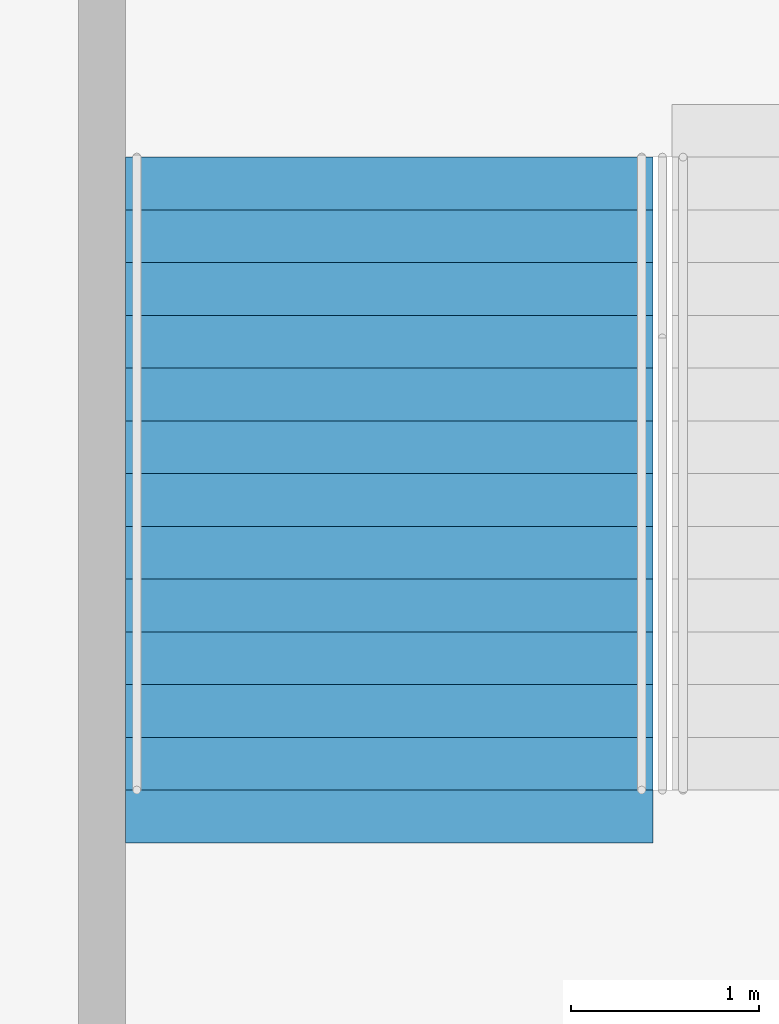
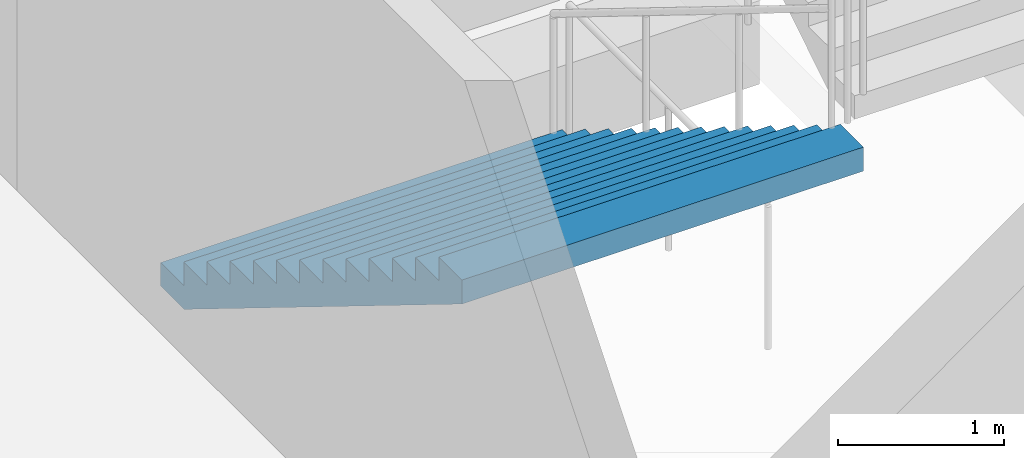
# One storey, part 102 of 177: 1 stair flight, 1 element without a shape of its own.
"""IFC4 building model written with IfcOpenShell, lengths in metres."""

from ifc_helpers import new_model, si_unit, direction, frame, origin, place, context, subcontext, project, spatial, faceted_brep, material, type_object, element, aggregate, save


model = new_model("IFC4")

# Units and contexts
model_context = context("Model", 3, precision=1e-05, world=origin(), true_north=direction((0.0, 1.0)))
body_context = subcontext(model_context, "Body", "Model", "MODEL_VIEW")
ifc_project = project(units=[si_unit("LENGTHUNIT", "METRE"), si_unit("AREAUNIT", "SQUARE_METRE"), si_unit("VOLUMEUNIT", "CUBIC_METRE"), si_unit("PLANEANGLEUNIT", "RADIAN"), si_unit("MASSUNIT", "GRAM", prefix="KILO")], contexts=[model_context])

# Site, building, storey
site_placement = place(None, origin())
site = spatial("IfcSite", under=ifc_project, at=site_placement, CompositionType="ELEMENT")
building_placement = place(site_placement, origin())
building = spatial("IfcBuilding", under=site, at=building_placement, Name="Ogive Plaza Stadium", CompositionType="ELEMENT")
storey_placement = place(building_placement, frame((0.0, 0.0, 18.0)))
storey = spatial("IfcBuildingStorey", under=building, at=storey_placement, Name="L04", CompositionType="ELEMENT", Elevation=18.0)

# Stair, stair flight
ifc_material_1 = material(Name="Concrete C40/50", Category="concrete")
stair_type = type_object("IfcStairType", Name="Exit stair", PredefinedType="STRAIGHT_RUN_STAIR", material=ifc_material_1)
stair_placement = place(storey_placement, origin())
stair = element("IfcStair", 1, at=stair_placement, inside=storey, type_object=stair_type, Name="Exit stair ST12A L04 to L05", PredefinedType="STRAIGHT_RUN_STAIR")
ifc_material_2 = material(Name="Concrete C40/50", Category="concrete")
stair_flight_type = type_object("IfcStairFlightType", Name="Exit stair flight", PredefinedType="STRAIGHT", material=ifc_material_2)
stair_flight_placement = place(storey_placement, frame((29.574951171875, -94.85009765625, 0.0), z_axis=(0.0, 0.0, 1.0), x_axis=(0.0, -1.0, 0.0)))
stair_flight = element("IfcStairFlight", 2, at=stair_flight_placement, type_object=stair_flight_type, Name="ST12A flight 1", NumberOfRisers=13, NumberOfTreads=12, PredefinedType="STRAIGHT", RiserHeight=0.173076923, TreadLength=0.28, context=body_context, shape_type="Brep", body=[
    faceted_brep([(0.28515625, -1.39990234375, 0.0), (3.639892578125, -1.39990234375, 2.07373046875), (3.639892578125, -1.39990234375, 2.25), (3.360107421875, -1.39990234375, 2.25), (3.360107421875, -1.39990234375, 2.076904296875), (3.080078125, -1.39990234375, 2.076904296875), (3.080078125, -1.39990234375, 1.90380859375), (2.800048828125, -1.39990234375, 1.90380859375), (2.800048828125, -1.39990234375, 1.730712890625), (2.52001953125, -1.39990234375, 1.730712890625), (2.52001953125, -1.39990234375, 1.5576171875), (2.239990234375, -1.39990234375, 1.5576171875), (2.239990234375, -1.39990234375, 1.384521484375), (1.9599609375, -1.39990234375, 1.384521484375), (1.9599609375, -1.39990234375, 1.21142578125), (1.679931640625, -1.39990234375, 1.21142578125), (1.679931640625, -1.39990234375, 1.03857421875), (1.39990234375, -1.39990234375, 1.03857421875), (1.39990234375, -1.39990234375, 0.865478515625), (1.1201171875, -1.39990234375, 0.865478515625), (1.1201171875, -1.39990234375, 0.6923828125), (0.840087890625, -1.39990234375, 0.6923828125), (0.840087890625, -1.39990234375, 0.519287109375), (0.56005859375, -1.39990234375, 0.519287109375), (0.56005859375, -1.39990234375, 0.34619140625), (0.280029296875, -1.39990234375, 0.34619140625), (0.280029296875, -1.39990234375, 0.173095703125), (0.0, -1.39990234375, 0.173095703125), (0.0, -1.39990234375, 0.0), (0.0, 1.39990234375, 0.0), (0.0, 1.39990234375, 0.173095703125), (0.280029296875, 1.39990234375, 0.173095703125), (0.280029296875, 1.39990234375, 0.34619140625), (0.56005859375, 1.39990234375, 0.34619140625), (0.56005859375, 1.39990234375, 0.519287109375), (0.840087890625, 1.39990234375, 0.519287109375), (0.840087890625, 1.39990234375, 0.6923828125), (1.1201171875, 1.39990234375, 0.6923828125), (1.1201171875, 1.39990234375, 0.865478515625), (1.39990234375, 1.39990234375, 0.865478515625), (1.39990234375, 1.39990234375, 1.03857421875), (1.679931640625, 1.39990234375, 1.03857421875), (1.679931640625, 1.39990234375, 1.21142578125), (1.9599609375, 1.39990234375, 1.21142578125), (1.9599609375, 1.39990234375, 1.384521484375), (2.239990234375, 1.39990234375, 1.384521484375), (2.239990234375, 1.39990234375, 1.5576171875), (2.52001953125, 1.39990234375, 1.5576171875), (2.52001953125, 1.39990234375, 1.730712890625), (2.800048828125, 1.39990234375, 1.730712890625), (2.800048828125, 1.39990234375, 1.90380859375), (3.080078125, 1.39990234375, 1.90380859375), (3.080078125, 1.39990234375, 2.076904296875), (3.360107421875, 1.39990234375, 2.076904296875), (3.360107421875, 1.39990234375, 2.25), (3.639892578125, 1.39990234375, 2.25), (3.639892578125, 1.39990234375, 2.07373046875), (0.28515625, 1.39990234375, 0.0), (0.28515625, -1.0888671875, 0.0), (3.639892578125, -1.0888671875, 2.07373046875), (0.28515625, -0.77783203125, 0.0), (3.639892578125, -0.77783203125, 2.07373046875), (0.28515625, -0.466796875, 0.0), (3.639892578125, -0.466796875, 2.07373046875), (0.28515625, -0.155517578125, 0.0), (3.639892578125, -0.155517578125, 2.07373046875), (0.28515625, 0.155517578125, 0.0), (3.639892578125, 0.155517578125, 2.07373046875), (0.28515625, 0.466796875, 0.0), (3.639892578125, 0.466796875, 2.07373046875), (0.28515625, 0.77783203125, 0.0), (3.639892578125, 0.77783203125, 2.07373046875), (0.28515625, 1.0888671875, 0.0), (3.639892578125, 1.0888671875, 2.07373046875), (3.639892578125, -1.0888671875, 2.25), (3.639892578125, -0.77783203125, 2.25), (3.639892578125, -0.466796875, 2.25), (3.639892578125, -0.155517578125, 2.25), (3.639892578125, 0.155517578125, 2.25), (3.639892578125, 0.466796875, 2.25), (3.639892578125, 0.77783203125, 2.25), (3.639892578125, 1.0888671875, 2.25), (3.360107421875, -1.0888671875, 2.25), (3.360107421875, -0.77783203125, 2.25), (3.360107421875, -0.466796875, 2.25), (3.360107421875, -0.155517578125, 2.25), (3.360107421875, 0.155517578125, 2.25), (3.360107421875, 0.466796875, 2.25), (3.360107421875, 0.77783203125, 2.25), (3.360107421875, 1.0888671875, 2.25), (3.360107421875, -1.0888671875, 2.076904296875), (3.360107421875, -0.77783203125, 2.076904296875), (3.360107421875, -0.466796875, 2.076904296875), (3.360107421875, -0.155517578125, 2.076904296875), (3.360107421875, 0.155517578125, 2.076904296875), (3.360107421875, 0.466796875, 2.076904296875), (3.360107421875, 0.77783203125, 2.076904296875), (3.360107421875, 1.0888671875, 2.076904296875), (3.080078125, -1.0888671875, 2.076904296875), (3.080078125, -0.77783203125, 2.076904296875), (3.080078125, -0.466796875, 2.076904296875), (3.080078125, -0.155517578125, 2.076904296875), (3.080078125, 0.155517578125, 2.076904296875), (3.080078125, 0.466796875, 2.076904296875), (3.080078125, 0.77783203125, 2.076904296875), (3.080078125, 1.0888671875, 2.076904296875), (3.080078125, -1.0888671875, 1.90380859375), (3.080078125, -0.77783203125, 1.90380859375), (3.080078125, -0.466796875, 1.90380859375), (3.080078125, -0.155517578125, 1.90380859375), (3.080078125, 0.155517578125, 1.90380859375), (3.080078125, 0.466796875, 1.90380859375), (3.080078125, 0.77783203125, 1.90380859375), (3.080078125, 1.0888671875, 1.90380859375), (2.800048828125, -1.0888671875, 1.90380859375), (2.800048828125, -0.77783203125, 1.90380859375), (2.800048828125, -0.466796875, 1.90380859375), (2.800048828125, -0.155517578125, 1.90380859375), (2.800048828125, 0.155517578125, 1.90380859375), (2.800048828125, 0.466796875, 1.90380859375), (2.800048828125, 0.77783203125, 1.90380859375), (2.800048828125, 1.0888671875, 1.90380859375), (2.800048828125, -1.0888671875, 1.730712890625), (2.800048828125, -0.77783203125, 1.730712890625), (2.800048828125, -0.466796875, 1.730712890625), (2.800048828125, -0.155517578125, 1.730712890625), (2.800048828125, 0.155517578125, 1.730712890625), (2.800048828125, 0.466796875, 1.730712890625), (2.800048828125, 0.77783203125, 1.730712890625), (2.800048828125, 1.0888671875, 1.730712890625), (2.52001953125, -1.0888671875, 1.730712890625), (2.52001953125, -0.77783203125, 1.730712890625), (2.52001953125, -0.466796875, 1.730712890625), (2.52001953125, -0.155517578125, 1.730712890625), (2.52001953125, 0.155517578125, 1.730712890625), (2.52001953125, 0.466796875, 1.730712890625), (2.52001953125, 0.77783203125, 1.730712890625), (2.52001953125, 1.0888671875, 1.730712890625), (2.52001953125, -1.0888671875, 1.5576171875), (2.52001953125, -0.77783203125, 1.5576171875), (2.52001953125, -0.466796875, 1.5576171875), (2.52001953125, -0.155517578125, 1.5576171875), (2.52001953125, 0.155517578125, 1.5576171875), (2.52001953125, 0.466796875, 1.5576171875), (2.52001953125, 0.77783203125, 1.5576171875), (2.52001953125, 1.0888671875, 1.5576171875), (2.239990234375, -1.0888671875, 1.5576171875), (2.239990234375, -0.77783203125, 1.5576171875), (2.239990234375, -0.466796875, 1.5576171875), (2.239990234375, -0.155517578125, 1.5576171875), (2.239990234375, 0.155517578125, 1.5576171875), (2.239990234375, 0.466796875, 1.5576171875), (2.239990234375, 0.77783203125, 1.5576171875), (2.239990234375, 1.0888671875, 1.5576171875), (2.239990234375, -1.0888671875, 1.384521484375), (2.239990234375, -0.77783203125, 1.384521484375), (2.239990234375, -0.466796875, 1.384521484375), (2.239990234375, -0.155517578125, 1.384521484375), (2.239990234375, 0.155517578125, 1.384521484375), (2.239990234375, 0.466796875, 1.384521484375), (2.239990234375, 0.77783203125, 1.384521484375), (2.239990234375, 1.0888671875, 1.384521484375), (1.9599609375, -1.0888671875, 1.384521484375), (1.9599609375, -0.77783203125, 1.384521484375), (1.9599609375, -0.466796875, 1.384521484375), (1.9599609375, -0.155517578125, 1.384521484375), (1.9599609375, 0.155517578125, 1.384521484375), (1.9599609375, 0.466796875, 1.384521484375), (1.9599609375, 0.77783203125, 1.384521484375), (1.9599609375, 1.0888671875, 1.384521484375), (1.9599609375, -1.0888671875, 1.21142578125), (1.9599609375, -0.77783203125, 1.21142578125), (1.9599609375, -0.466796875, 1.21142578125), (1.9599609375, -0.155517578125, 1.21142578125), (1.9599609375, 0.155517578125, 1.21142578125), (1.9599609375, 0.466796875, 1.21142578125), (1.9599609375, 0.77783203125, 1.21142578125), (1.9599609375, 1.0888671875, 1.21142578125), (1.679931640625, -1.0888671875, 1.21142578125), (1.679931640625, -0.77783203125, 1.21142578125), (1.679931640625, -0.466796875, 1.21142578125), (1.679931640625, -0.155517578125, 1.21142578125), (1.679931640625, 0.155517578125, 1.21142578125), (1.679931640625, 0.466796875, 1.21142578125), (1.679931640625, 0.77783203125, 1.21142578125), (1.679931640625, 1.0888671875, 1.21142578125), (1.679931640625, -1.0888671875, 1.03857421875), (1.679931640625, -0.77783203125, 1.03857421875), (1.679931640625, -0.466796875, 1.03857421875), (1.679931640625, -0.155517578125, 1.03857421875), (1.679931640625, 0.155517578125, 1.03857421875), (1.679931640625, 0.466796875, 1.03857421875), (1.679931640625, 0.77783203125, 1.03857421875), (1.679931640625, 1.0888671875, 1.03857421875), (1.39990234375, -1.0888671875, 1.03857421875), (1.39990234375, -0.77783203125, 1.03857421875), (1.39990234375, -0.466796875, 1.03857421875), (1.39990234375, -0.155517578125, 1.03857421875), (1.39990234375, 0.155517578125, 1.03857421875), (1.39990234375, 0.466796875, 1.03857421875), (1.39990234375, 0.77783203125, 1.03857421875), (1.39990234375, 1.0888671875, 1.03857421875), (1.39990234375, -1.0888671875, 0.865478515625), (1.39990234375, -0.77783203125, 0.865478515625), (1.39990234375, -0.466796875, 0.865478515625), (1.39990234375, -0.155517578125, 0.865478515625), (1.39990234375, 0.155517578125, 0.865478515625), (1.39990234375, 0.466796875, 0.865478515625), (1.39990234375, 0.77783203125, 0.865478515625), (1.39990234375, 1.0888671875, 0.865478515625), (1.1201171875, -1.0888671875, 0.865478515625), (1.1201171875, -0.77783203125, 0.865478515625), (1.1201171875, -0.466796875, 0.865478515625), (1.1201171875, -0.155517578125, 0.865478515625), (1.1201171875, 0.155517578125, 0.865478515625), (1.1201171875, 0.466796875, 0.865478515625), (1.1201171875, 0.77783203125, 0.865478515625), (1.1201171875, 1.0888671875, 0.865478515625), (1.1201171875, -1.0888671875, 0.6923828125), (1.1201171875, -0.77783203125, 0.6923828125), (1.1201171875, -0.466796875, 0.6923828125), (1.1201171875, -0.155517578125, 0.6923828125), (1.1201171875, 0.155517578125, 0.6923828125), (1.1201171875, 0.466796875, 0.6923828125), (1.1201171875, 0.77783203125, 0.6923828125), (1.1201171875, 1.0888671875, 0.6923828125), (0.840087890625, -1.0888671875, 0.6923828125), (0.840087890625, -0.77783203125, 0.6923828125), (0.840087890625, -0.466796875, 0.6923828125), (0.840087890625, -0.155517578125, 0.6923828125), (0.840087890625, 0.155517578125, 0.6923828125), (0.840087890625, 0.466796875, 0.6923828125), (0.840087890625, 0.77783203125, 0.6923828125), (0.840087890625, 1.0888671875, 0.6923828125), (0.840087890625, -1.0888671875, 0.519287109375), (0.840087890625, -0.77783203125, 0.519287109375), (0.840087890625, -0.466796875, 0.519287109375), (0.840087890625, -0.155517578125, 0.519287109375), (0.840087890625, 0.155517578125, 0.519287109375), (0.840087890625, 0.466796875, 0.519287109375), (0.840087890625, 0.77783203125, 0.519287109375), (0.840087890625, 1.0888671875, 0.519287109375), (0.56005859375, -1.0888671875, 0.519287109375), (0.56005859375, -0.77783203125, 0.519287109375), (0.56005859375, -0.466796875, 0.519287109375), (0.56005859375, -0.155517578125, 0.519287109375), (0.56005859375, 0.155517578125, 0.519287109375), (0.56005859375, 0.466796875, 0.519287109375), (0.56005859375, 0.77783203125, 0.519287109375), (0.56005859375, 1.0888671875, 0.519287109375), (0.56005859375, -1.0888671875, 0.34619140625), (0.56005859375, -0.77783203125, 0.34619140625), (0.56005859375, -0.466796875, 0.34619140625), (0.56005859375, -0.155517578125, 0.34619140625), (0.56005859375, 0.155517578125, 0.34619140625), (0.56005859375, 0.466796875, 0.34619140625), (0.56005859375, 0.77783203125, 0.34619140625), (0.56005859375, 1.0888671875, 0.34619140625), (0.280029296875, -1.0888671875, 0.34619140625), (0.280029296875, -0.77783203125, 0.34619140625), (0.280029296875, -0.466796875, 0.34619140625), (0.280029296875, -0.155517578125, 0.34619140625), (0.280029296875, 0.155517578125, 0.34619140625), (0.280029296875, 0.466796875, 0.34619140625), (0.280029296875, 0.77783203125, 0.34619140625), (0.280029296875, 1.0888671875, 0.34619140625), (0.280029296875, -1.0888671875, 0.173095703125), (0.280029296875, -0.77783203125, 0.173095703125), (0.280029296875, -0.466796875, 0.173095703125), (0.280029296875, -0.155517578125, 0.173095703125), (0.280029296875, 0.155517578125, 0.173095703125), (0.280029296875, 0.466796875, 0.173095703125), (0.280029296875, 0.77783203125, 0.173095703125), (0.280029296875, 1.0888671875, 0.173095703125), (0.0, -1.0888671875, 0.173095703125), (0.0, -0.77783203125, 0.173095703125), (0.0, -0.466796875, 0.173095703125), (0.0, -0.155517578125, 0.173095703125), (0.0, 0.155517578125, 0.173095703125), (0.0, 0.466796875, 0.173095703125), (0.0, 0.77783203125, 0.173095703125), (0.0, 1.0888671875, 0.173095703125), (0.0, -1.0888671875, 0.0), (0.0, -0.77783203125, 0.0), (0.0, -0.466796875, 0.0), (0.0, -0.155517578125, 0.0), (0.0, 0.155517578125, 0.0), (0.0, 0.466796875, 0.0), (0.0, 0.77783203125, 0.0), (0.0, 1.0888671875, 0.0)], [[[0, 1, 2, 3, 4, 5, 6, 7, 8, 9, 10, 11, 12, 13, 14, 15, 16, 17, 18, 19, 20, 21, 22, 23, 24, 25, 26, 27, 28]], [[29, 30, 31, 32, 33, 34, 35, 36, 37, 38, 39, 40, 41, 42, 43, 44, 45, 46, 47, 48, 49, 50, 51, 52, 53, 54, 55, 56, 57]], [[0, 58, 59, 1]], [[58, 60, 61, 59]], [[60, 62, 63, 61]], [[62, 64, 65, 63]], [[64, 66, 67, 65]], [[66, 68, 69, 67]], [[68, 70, 71, 69]], [[70, 72, 73, 71]], [[72, 57, 56, 73]], [[1, 59, 74, 2]], [[59, 61, 75, 74]], [[61, 63, 76, 75]], [[63, 65, 77, 76]], [[65, 67, 78, 77]], [[67, 69, 79, 78]], [[69, 71, 80, 79]], [[71, 73, 81, 80]], [[73, 56, 55, 81]], [[2, 74, 82, 3]], [[74, 75, 83, 82]], [[75, 76, 84, 83]], [[76, 77, 85, 84]], [[77, 78, 86, 85]], [[78, 79, 87, 86]], [[79, 80, 88, 87]], [[80, 81, 89, 88]], [[81, 55, 54, 89]], [[3, 82, 90, 4]], [[82, 83, 91, 90]], [[83, 84, 92, 91]], [[84, 85, 93, 92]], [[85, 86, 94, 93]], [[86, 87, 95, 94]], [[87, 88, 96, 95]], [[88, 89, 97, 96]], [[89, 54, 53, 97]], [[4, 90, 98, 5]], [[90, 91, 99, 98]], [[91, 92, 100, 99]], [[92, 93, 101, 100]], [[93, 94, 102, 101]], [[94, 95, 103, 102]], [[95, 96, 104, 103]], [[96, 97, 105, 104]], [[97, 53, 52, 105]], [[5, 98, 106, 6]], [[98, 99, 107, 106]], [[99, 100, 108, 107]], [[100, 101, 109, 108]], [[101, 102, 110, 109]], [[102, 103, 111, 110]], [[103, 104, 112, 111]], [[104, 105, 113, 112]], [[105, 52, 51, 113]], [[6, 106, 114, 7]], [[106, 107, 115, 114]], [[107, 108, 116, 115]], [[108, 109, 117, 116]], [[109, 110, 118, 117]], [[110, 111, 119, 118]], [[111, 112, 120, 119]], [[112, 113, 121, 120]], [[113, 51, 50, 121]], [[7, 114, 122, 8]], [[114, 115, 123, 122]], [[115, 116, 124, 123]], [[116, 117, 125, 124]], [[117, 118, 126, 125]], [[118, 119, 127, 126]], [[119, 120, 128, 127]], [[120, 121, 129, 128]], [[121, 50, 49, 129]], [[8, 122, 130, 9]], [[122, 123, 131, 130]], [[123, 124, 132, 131]], [[124, 125, 133, 132]], [[125, 126, 134, 133]], [[126, 127, 135, 134]], [[127, 128, 136, 135]], [[128, 129, 137, 136]], [[129, 49, 48, 137]], [[9, 130, 138, 10]], [[130, 131, 139, 138]], [[131, 132, 140, 139]], [[132, 133, 141, 140]], [[133, 134, 142, 141]], [[134, 135, 143, 142]], [[135, 136, 144, 143]], [[136, 137, 145, 144]], [[137, 48, 47, 145]], [[10, 138, 146, 11]], [[138, 139, 147, 146]], [[139, 140, 148, 147]], [[140, 141, 149, 148]], [[141, 142, 150, 149]], [[142, 143, 151, 150]], [[143, 144, 152, 151]], [[144, 145, 153, 152]], [[145, 47, 46, 153]], [[11, 146, 154, 12]], [[146, 147, 155, 154]], [[147, 148, 156, 155]], [[148, 149, 157, 156]], [[149, 150, 158, 157]], [[150, 151, 159, 158]], [[151, 152, 160, 159]], [[152, 153, 161, 160]], [[153, 46, 45, 161]], [[12, 154, 162, 13]], [[154, 155, 163, 162]], [[155, 156, 164, 163]], [[156, 157, 165, 164]], [[157, 158, 166, 165]], [[158, 159, 167, 166]], [[159, 160, 168, 167]], [[160, 161, 169, 168]], [[161, 45, 44, 169]], [[13, 162, 170, 14]], [[162, 163, 171, 170]], [[163, 164, 172, 171]], [[164, 165, 173, 172]], [[165, 166, 174, 173]], [[166, 167, 175, 174]], [[167, 168, 176, 175]], [[168, 169, 177, 176]], [[169, 44, 43, 177]], [[14, 170, 178, 15]], [[170, 171, 179, 178]], [[171, 172, 180, 179]], [[172, 173, 181, 180]], [[173, 174, 182, 181]], [[174, 175, 183, 182]], [[175, 176, 184, 183]], [[176, 177, 185, 184]], [[177, 43, 42, 185]], [[15, 178, 186, 16]], [[178, 179, 187, 186]], [[179, 180, 188, 187]], [[180, 181, 189, 188]], [[181, 182, 190, 189]], [[182, 183, 191, 190]], [[183, 184, 192, 191]], [[184, 185, 193, 192]], [[185, 42, 41, 193]], [[16, 186, 194, 17]], [[186, 187, 195, 194]], [[187, 188, 196, 195]], [[188, 189, 197, 196]], [[189, 190, 198, 197]], [[190, 191, 199, 198]], [[191, 192, 200, 199]], [[192, 193, 201, 200]], [[193, 41, 40, 201]], [[17, 194, 202, 18]], [[194, 195, 203, 202]], [[195, 196, 204, 203]], [[196, 197, 205, 204]], [[197, 198, 206, 205]], [[198, 199, 207, 206]], [[199, 200, 208, 207]], [[200, 201, 209, 208]], [[201, 40, 39, 209]], [[18, 202, 210, 19]], [[202, 203, 211, 210]], [[203, 204, 212, 211]], [[204, 205, 213, 212]], [[205, 206, 214, 213]], [[206, 207, 215, 214]], [[207, 208, 216, 215]], [[208, 209, 217, 216]], [[209, 39, 38, 217]], [[19, 210, 218, 20]], [[210, 211, 219, 218]], [[211, 212, 220, 219]], [[212, 213, 221, 220]], [[213, 214, 222, 221]], [[214, 215, 223, 222]], [[215, 216, 224, 223]], [[216, 217, 225, 224]], [[217, 38, 37, 225]], [[20, 218, 226, 21]], [[218, 219, 227, 226]], [[219, 220, 228, 227]], [[220, 221, 229, 228]], [[221, 222, 230, 229]], [[222, 223, 231, 230]], [[223, 224, 232, 231]], [[224, 225, 233, 232]], [[225, 37, 36, 233]], [[21, 226, 234, 22]], [[226, 227, 235, 234]], [[227, 228, 236, 235]], [[228, 229, 237, 236]], [[229, 230, 238, 237]], [[230, 231, 239, 238]], [[231, 232, 240, 239]], [[232, 233, 241, 240]], [[233, 36, 35, 241]], [[22, 234, 242, 23]], [[234, 235, 243, 242]], [[235, 236, 244, 243]], [[236, 237, 245, 244]], [[237, 238, 246, 245]], [[238, 239, 247, 246]], [[239, 240, 248, 247]], [[240, 241, 249, 248]], [[241, 35, 34, 249]], [[23, 242, 250, 24]], [[242, 243, 251, 250]], [[243, 244, 252, 251]], [[244, 245, 253, 252]], [[245, 246, 254, 253]], [[246, 247, 255, 254]], [[247, 248, 256, 255]], [[248, 249, 257, 256]], [[249, 34, 33, 257]], [[24, 250, 258, 25]], [[250, 251, 259, 258]], [[251, 252, 260, 259]], [[252, 253, 261, 260]], [[253, 254, 262, 261]], [[254, 255, 263, 262]], [[255, 256, 264, 263]], [[256, 257, 265, 264]], [[257, 33, 32, 265]], [[25, 258, 266, 26]], [[258, 259, 267, 266]], [[259, 260, 268, 267]], [[260, 261, 269, 268]], [[261, 262, 270, 269]], [[262, 263, 271, 270]], [[263, 264, 272, 271]], [[264, 265, 273, 272]], [[265, 32, 31, 273]], [[26, 266, 274, 27]], [[266, 267, 275, 274]], [[267, 268, 276, 275]], [[268, 269, 277, 276]], [[269, 270, 278, 277]], [[270, 271, 279, 278]], [[271, 272, 280, 279]], [[272, 273, 281, 280]], [[273, 31, 30, 281]], [[27, 274, 282, 28]], [[274, 275, 283, 282]], [[275, 276, 284, 283]], [[276, 277, 285, 284]], [[277, 278, 286, 285]], [[278, 279, 287, 286]], [[279, 280, 288, 287]], [[280, 281, 289, 288]], [[281, 30, 29, 289]], [[28, 282, 58, 0]], [[282, 283, 60, 58]], [[283, 284, 62, 60]], [[284, 285, 64, 62]], [[285, 286, 66, 64]], [[286, 287, 68, 66]], [[287, 288, 70, 68]], [[288, 289, 72, 70]], [[289, 29, 57, 72]]]),
])
aggregate(stair, [stair_flight])

save(model, "model.ifc")
